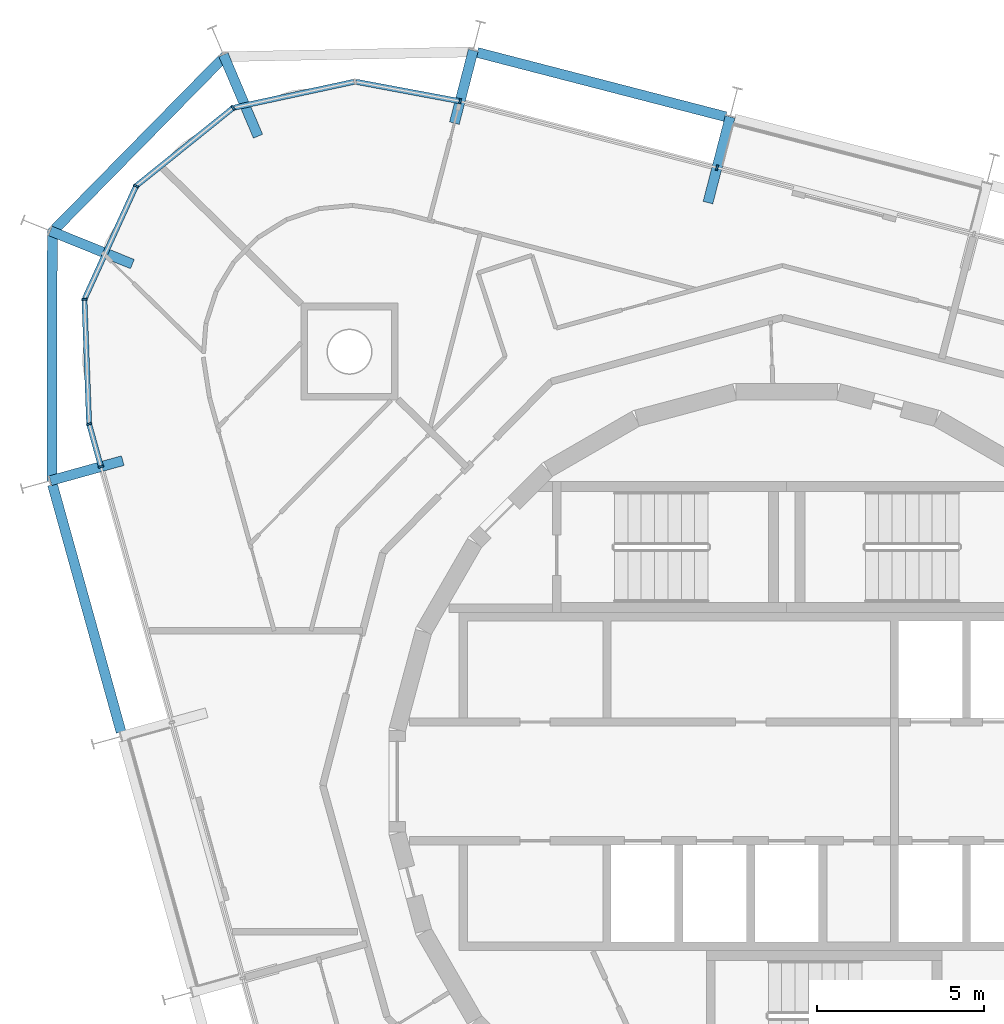
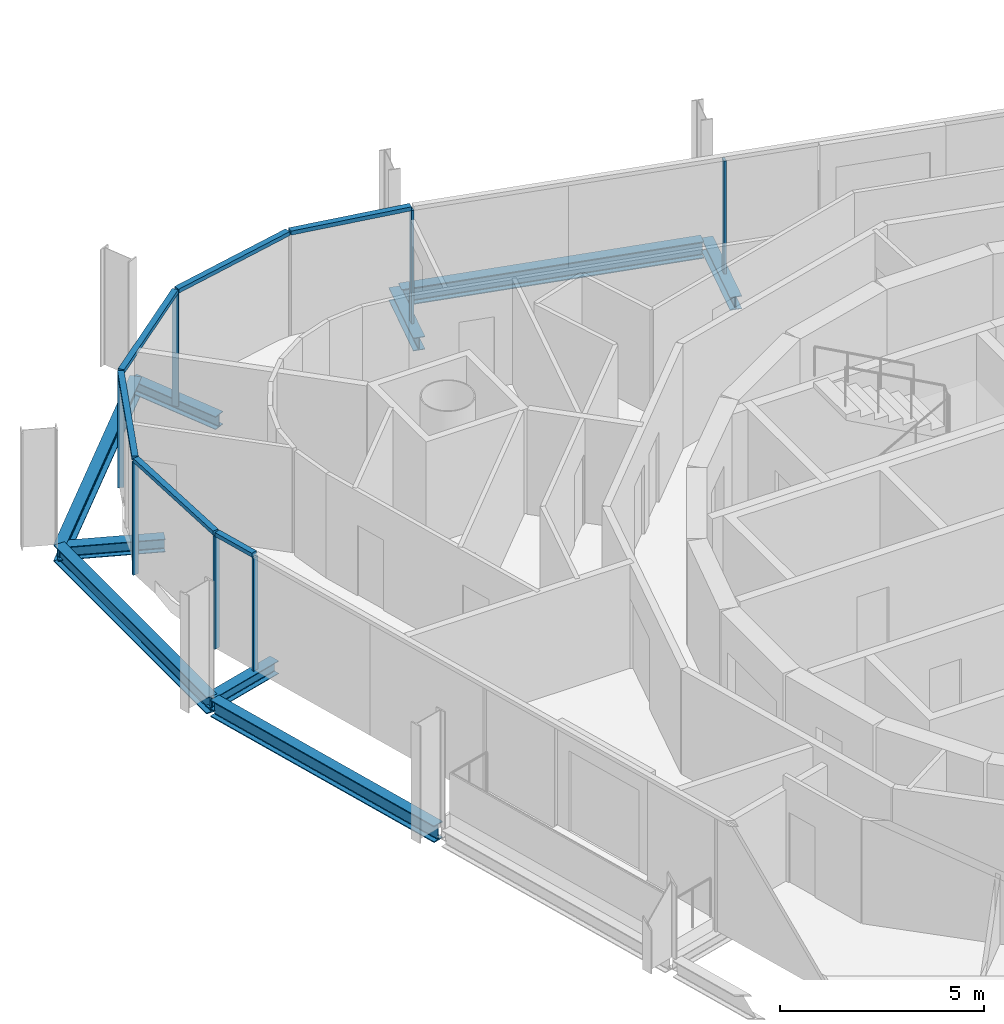
# One storey, part 5 of 15: 13 members, 9 beams, 3 elements without a shape of their own.
"""IFC4 building model written with IfcOpenShell, lengths in metres."""

from ifc_helpers import new_model, si_unit, direction, frame, origin, origin_2d, place, context, subcontext, project, spatial, rectangle, i_section, extrude, material, layer, layer_set, material_profile, profile_set, type_object, element, aggregate, save


model = new_model("IFC4")

# Units and contexts
model_context = context("Model", 3, precision=1e-05, world=origin(), true_north=direction((0.0, 1.0)))
body_context = subcontext(model_context, "Body", "Model", "MODEL_VIEW")
ifc_project = project(units=[si_unit("LENGTHUNIT", "METRE"), si_unit("AREAUNIT", "SQUARE_METRE"), si_unit("VOLUMEUNIT", "CUBIC_METRE"), si_unit("PLANEANGLEUNIT", "RADIAN"), si_unit("MASSUNIT", "GRAM", prefix="KILO")], contexts=[model_context])

# Site, building, storey
site_placement = place(None, origin())
site = spatial("IfcSite", under=ifc_project, at=site_placement, CompositionType="ELEMENT")
building_placement = place(site_placement, origin())
building = spatial("IfcBuilding", under=site, at=building_placement, Name="Spindle Arch Residences", CompositionType="ELEMENT")
storey_placement = place(building_placement, frame((0.0, 0.0, 319.199951171875)))
storey = spatial("IfcBuildingStorey", under=building, at=storey_placement, Name="L82", CompositionType="ELEMENT", Elevation=319.199951171875)

# Curtain wall, member
ifc_material_1 = material(Name="Aluminium bronze unitised frame with tinted glass", Category="aluminium")
ifc_layer_1 = layer(ifc_material_1, 0.159912109375)
ifc_layer_set_1 = layer_set([ifc_layer_1], Name="CW-C typical residential unitised wall")
curtain_wall_type_1 = type_object("IfcCurtainWallType", Name="CW-C typical residential unitised wall", PredefinedType="NOTDEFINED", material=ifc_layer_set_1)
curtain_wall_1_placement = place(storey_placement, origin())
curtain_wall_1 = element("IfcCurtainWall", 1, at=curtain_wall_1_placement, inside=storey, type_object=curtain_wall_type_1, Name="CW-C L82 run 2", PredefinedType="NOTDEFINED")
ifc_material_2 = material(Name="Aluminium bronze anodised mullion", Category="aluminium")
ifc_material_profile_1 = material_profile(ifc_material_2, rectangle(XDim=0.159912109375, YDim=0.06005859375, at=origin_2d()), Name="MU 60x160")
ifc_profile_set_1 = profile_set([ifc_material_profile_1], Name="Aluminium bronze anodised mullion")
member_type_1 = type_object("IfcMemberType", Name="Bronze mullion 60x160", PredefinedType="MULLION", material=ifc_profile_set_1)
member_1_placement = place(storey_placement, frame((-2.084228515625, 18.35107421875, -0.3798828125), z_axis=(0.0, 0.0, 1.0), x_axis=(-0.250380004054, -0.968147640378, 0.0)))
member_1 = element("IfcMember", 2, at=member_1_placement, type_object=member_type_1, Name="CW-C mullion 07", PredefinedType="MULLION", context=body_context, shape_type="SweptSolid", body=[
    extrude(rectangle(XDim=0.159912109375, YDim=0.06005859375, at=origin_2d()), origin(), (0.0, 0.0, 1.0), 3.3798828125),
])
aggregate(curtain_wall_1, [member_1])

# Curtain wall, members
ifc_material_3 = material(Name="Aluminium bronze unitised frame with tinted glass", Category="aluminium")
ifc_layer_2 = layer(ifc_material_3, 0.159912109375)
ifc_layer_set_2 = layer_set([ifc_layer_2], Name="CW-D corner wall on the fillet arcs")
curtain_wall_type_2 = type_object("IfcCurtainWallType", Name="CW-D corner wall on the fillet arcs", PredefinedType="NOTDEFINED", material=ifc_layer_set_2)
curtain_wall_2_placement = place(storey_placement, origin())
curtain_wall_2 = element("IfcCurtainWall", 3, at=curtain_wall_2_placement, inside=storey, type_object=curtain_wall_type_2, Name="CW-D L82 run 3", PredefinedType="NOTDEFINED")
member_2_placement = place(storey_placement, frame((-9.7666015625, 20.337890625, -0.3798828125), z_axis=(0.0, 0.0, 1.0), x_axis=(-0.183837217301, -0.98295670176, 0.0)))
member_2 = element("IfcMember", 4, at=member_2_placement, type_object=member_type_1, Name="CW-D mullion 00", PredefinedType="MULLION", context=body_context, shape_type="SweptSolid", body=[
    extrude(rectangle(XDim=0.159912109375, YDim=0.06005859375, at=origin_2d()), origin(), (0.0, 0.0, 1.0), 3.3798828125),
])
member_3_placement = place(storey_placement, frame((-16.5517578125, 20.14013671875, -0.3798828125), z_axis=(0.0, 0.0, 1.0), x_axis=(0.627057107401, -0.778973288411, 0.0)))
member_3 = element("IfcMember", 5, at=member_3_placement, type_object=member_type_1, Name="CW-D mullion 02", PredefinedType="MULLION", context=body_context, shape_type="SweptSolid", body=[
    extrude(rectangle(XDim=0.159912109375, YDim=0.06005859375, at=origin_2d()), origin(), (0.0, 0.0, 1.0), 3.3798828125),
])
member_4_placement = place(storey_placement, frame((-19.454833984375, 17.80322265625, -0.3798828125), z_axis=(0.0, 0.0, 1.0), x_axis=(0.9099612694, -0.414693245896, 0.0)))
member_4 = element("IfcMember", 6, at=member_4_placement, type_object=member_type_1, Name="CW-D mullion 03", PredefinedType="MULLION", context=body_context, shape_type="SweptSolid", body=[
    extrude(rectangle(XDim=0.159912109375, YDim=0.06005859375, at=origin_2d()), origin(), (0.0, 0.0, 1.0), 3.3798828125),
])
member_5_placement = place(storey_placement, frame((-21.00048828125, 14.411865234375, -0.3798828125), z_axis=(0.0, 0.0, 1.0), x_axis=(0.999285080405, 0.037806455536, 0.0)))
member_5 = element("IfcMember", 7, at=member_5_placement, type_object=member_type_1, Name="CW-D mullion 04", PredefinedType="MULLION", context=body_context, shape_type="SweptSolid", body=[
    extrude(rectangle(XDim=0.159912109375, YDim=0.06005859375, at=origin_2d()), origin(), (0.0, 0.0, 1.0), 3.3798828125),
])
member_6_placement = place(storey_placement, frame((-20.859375, 10.687744140625, -0.3798828125), z_axis=(0.0, 0.0, 1.0), x_axis=(0.963630453209, 0.267238376078, 0.0)))
member_6 = element("IfcMember", 8, at=member_6_placement, type_object=member_type_1, Name="CW-D mullion 05", PredefinedType="MULLION", context=body_context, shape_type="SweptSolid", body=[
    extrude(rectangle(XDim=0.159912109375, YDim=0.06005859375, at=origin_2d()), origin(), (0.0, 0.0, 1.0), 3.3798828125),
])

# Curtain wall, member
curtain_wall_3_placement = place(storey_placement, origin())
curtain_wall_3 = element("IfcCurtainWall", 9, at=curtain_wall_3_placement, inside=storey, type_object=curtain_wall_type_1, Name="CW-C L82 run 4", PredefinedType="NOTDEFINED")
member_7_placement = place(storey_placement, frame((-20.505126953125, 9.41015625, -0.3798828125), z_axis=(0.0, 0.0, 1.0), x_axis=(0.963630453209, 0.267238376078, 0.0)))
member_7 = element("IfcMember", 10, at=member_7_placement, type_object=member_type_1, Name="CW-C mullion 11", PredefinedType="MULLION", context=body_context, shape_type="SweptSolid", body=[
    extrude(rectangle(XDim=0.159912109375, YDim=0.06005859375, at=origin_2d()), origin(), (0.0, 0.0, 1.0), 3.3798828125),
])
aggregate(curtain_wall_3, [member_7])

# Member
ifc_material_4 = material(Name="Aluminium bronze anodised transom", Category="aluminium")
ifc_material_profile_2 = material_profile(ifc_material_4, rectangle(XDim=0.159912109375, YDim=0.1201171875, at=origin_2d()), Name="TR 120x160")
ifc_profile_set_2 = profile_set([ifc_material_profile_2], Name="Aluminium bronze anodised transom")
member_type_2 = type_object("IfcMemberType", Name="Bronze transom 120x160", PredefinedType="USERDEFINED", material=ifc_profile_set_2)
member_8_placement = place(storey_placement, frame((-9.796142578125, 20.34326171875, 3.06005859375), z_axis=(-0.982955792974, 0.183842076412, 0.0), x_axis=(-0.183842076412, -0.982955792974, 0.0)))
member_8 = element("IfcMember", 11, at=member_8_placement, type_object=member_type_2, Name="CW-D transom 00", ObjectType="TRANSOM", PredefinedType="USERDEFINED", context=body_context, shape_type="SweptSolid", body=[
    extrude(rectangle(XDim=0.159912109375, YDim=0.1201171875, at=origin_2d()), origin(), (0.0, 0.0, 1.0), 3.13671875),
])

member_9_placement = place(storey_placement, frame((-12.938232421875, 20.919189453125, 3.06005859375), z_axis=(-0.977527770532, -0.210806683571, 0.0), x_axis=(0.210806683571, -0.977527770532, 0.0)))
member_9 = element("IfcMember", 12, at=member_9_placement, type_object=member_type_2, Name="CW-D transom 01", ObjectType="TRANSOM", PredefinedType="USERDEFINED", context=body_context, shape_type="SweptSolid", body=[
    extrude(rectangle(XDim=0.159912109375, YDim=0.1201171875, at=origin_2d()), origin(), (0.0, 0.0, 1.0), 3.66650390625),
])

member_10_placement = place(storey_placement, frame((-16.5751953125, 20.121337890625, 3.06005859375), z_axis=(-0.778981543265, -0.627046852518, 0.0), x_axis=(0.627046852518, -0.778981543265, 0.0)))
member_10 = element("IfcMember", 13, at=member_10_placement, type_object=member_type_2, Name="CW-D transom 02", ObjectType="TRANSOM", PredefinedType="USERDEFINED", context=body_context, shape_type="SweptSolid", body=[
    extrude(rectangle(XDim=0.159912109375, YDim=0.1201171875, at=origin_2d()), origin(), (0.0, 0.0, 1.0), 3.6669921875),
])

member_11_placement = place(storey_placement, frame((-19.46728515625, 17.77587890625, 3.06005859375), z_axis=(-0.414725728642, -0.90994646546, 0.0), x_axis=(0.90994646546, -0.414725728642, 0.0)))
member_11 = element("IfcMember", 14, at=member_11_placement, type_object=member_type_2, Name="CW-D transom 03", ObjectType="TRANSOM", PredefinedType="USERDEFINED", context=body_context, shape_type="SweptSolid", body=[
    extrude(rectangle(XDim=0.159912109375, YDim=0.1201171875, at=origin_2d()), origin(), (0.0, 0.0, 1.0), 3.6669921875),
])

member_12_placement = place(storey_placement, frame((-20.999267578125, 14.382080078125, 3.06005859375), z_axis=(0.03781688996, -0.99928468558, 0.0), x_axis=(0.99928468558, 0.03781688996, 0.0)))
member_12 = element("IfcMember", 15, at=member_12_placement, type_object=member_type_2, Name="CW-D transom 04", ObjectType="TRANSOM", PredefinedType="USERDEFINED", context=body_context, shape_type="SweptSolid", body=[
    extrude(rectangle(XDim=0.159912109375, YDim=0.1201171875, at=origin_2d()), origin(), (0.0, 0.0, 1.0), 3.6669921875),
])

member_13_placement = place(storey_placement, frame((-20.8515625, 10.658935546875, 3.06005859375), z_axis=(0.267275846412, -0.963620060981, 0.0), x_axis=(0.963620060981, 0.267275846412, 0.0)))
member_13 = element("IfcMember", 16, at=member_13_placement, type_object=member_type_2, Name="CW-D transom 05", ObjectType="TRANSOM", PredefinedType="USERDEFINED", context=body_context, shape_type="SweptSolid", body=[
    extrude(rectangle(XDim=0.159912109375, YDim=0.1201171875, at=origin_2d()), origin(), (0.0, 0.0, 1.0), 1.26611328125),
])

aggregate(curtain_wall_2, [member_2, member_8, member_9, member_3, member_10, member_4, member_11, member_5, member_12, member_6, member_13])

# Beams
ifc_material_5 = material(Name="Steel S460ML, intumescent coating R 120", Category="steel")
ifc_material_profile_3 = material_profile(ifc_material_5, i_section(OverallWidth=0.300048828125, OverallDepth=0.5, WebThickness=0.014404296875, FlangeThickness=0.028076171875, FilletRadius=0.027099609375, at=origin_2d()), Name="HEB 500")
ifc_profile_set_3 = profile_set([ifc_material_profile_3], Name="Steel S460ML, intumescent coating R 120")
beam_type_1 = type_object("IfcBeamType", Name="Exoskeleton edge beam HEB 500", PredefinedType="BEAM", material=ifc_profile_set_3)
beam_1_placement = place(storey_placement, frame((-1.824462890625, 19.87451171875, -0.6298828125), z_axis=(-0.968149836341, 0.250371512743, 0.0), x_axis=(-0.250371512743, -0.968149836341, 0.0)))
element("IfcBeam", 17, at=beam_1_placement, inside=storey, type_object=beam_type_1, Name="Exoskeleton edge beam 8", PredefinedType="BEAM", context=body_context, shape_type="SweptSolid", body=[
    extrude(i_section(OverallWidth=0.300048828125, OverallDepth=0.5, WebThickness=0.014404296875, FlangeThickness=0.028076171875, FilletRadius=0.027099609375, at=origin_2d()), origin(), (0.0, 0.0, 1.0), 7.675048828125),
])
beam_2_placement = place(storey_placement, frame((-16.767333984375, 21.715576171875, -0.6298828125), z_axis=(-0.700904877176, -0.713254760342, 0.0), x_axis=(0.713254760342, -0.700904877176, 0.0)))
element("IfcBeam", 18, at=beam_2_placement, inside=storey, type_object=beam_type_1, Name="Exoskeleton edge beam 10", PredefinedType="BEAM", context=body_context, shape_type="SweptSolid", body=[
    extrude(i_section(OverallWidth=0.300048828125, OverallDepth=0.5, WebThickness=0.014404296875, FlangeThickness=0.028076171875, FilletRadius=0.027099609375, at=origin_2d()), origin(), (0.0, 0.0, 1.0), 7.47265625),
])
beam_3_placement = place(storey_placement, frame((-21.95947265625, 16.472412109375, -0.6298828125), z_axis=(-0.001692871227, -0.999998567092, 0.0), x_axis=(0.999998567092, -0.001692871227, 0.0)))
element("IfcBeam", 19, at=beam_3_placement, inside=storey, type_object=beam_type_1, Name="Exoskeleton edge beam 11", PredefinedType="BEAM", context=body_context, shape_type="SweptSolid", body=[
    extrude(i_section(OverallWidth=0.300048828125, OverallDepth=0.5, WebThickness=0.014404296875, FlangeThickness=0.028076171875, FilletRadius=0.027099609375, at=origin_2d()), origin(), (0.0, 0.0, 1.0), 7.499267578125),
])
beam_4_placement = place(storey_placement, frame((-21.954345703125, 8.873291015625, -0.6298828125), z_axis=(0.26723040865, -0.963632662737, 0.0), x_axis=(0.963632662737, 0.26723040865, 0.0)))
element("IfcBeam", 20, at=beam_4_placement, inside=storey, type_object=beam_type_1, Name="Exoskeleton edge beam 12", PredefinedType="BEAM", context=body_context, shape_type="SweptSolid", body=[
    extrude(i_section(OverallWidth=0.300048828125, OverallDepth=0.5, WebThickness=0.014404296875, FlangeThickness=0.028076171875, FilletRadius=0.027099609375, at=origin_2d()), origin(), (0.0, 0.0, 1.0), 7.675048828125),
])
ifc_material_6 = material(Name="Steel S460ML, intumescent coating R 120", Category="steel")
ifc_material_profile_4 = material_profile(ifc_material_6, i_section(OverallWidth=0.300048828125, OverallDepth=0.389892578125, WebThickness=0.010986328125, FlangeThickness=0.01904296875, FilletRadius=0.027099609375, at=origin_2d()), Name="HEA 400")
ifc_profile_set_4 = profile_set([ifc_material_profile_4], Name="Steel S460ML, intumescent coating R 120")
beam_type_2 = type_object("IfcBeamType", Name="Floor outrigger HEA 400", PredefinedType="BEAM", material=ifc_profile_set_4)
beam_5_placement = place(storey_placement, frame((-1.691162109375, 19.87109375, -0.574951171875), z_axis=(-0.250396221036, -0.968143446237, 0.0), x_axis=(0.968143446237, -0.250396221036, 0.0)))
element("IfcBeam", 21, at=beam_5_placement, inside=storey, type_object=beam_type_2, Name="Floor outrigger 8", PredefinedType="BEAM", context=body_context, shape_type="SweptSolid", body=[
    extrude(i_section(OverallWidth=0.300048828125, OverallDepth=0.389892578125, WebThickness=0.010986328125, FlangeThickness=0.01904296875, FilletRadius=0.027099609375, at=origin_2d()), origin(), (0.0, 0.0, 1.0), 2.650146484375),
])
beam_6_placement = place(storey_placement, frame((-9.37353515625, 21.857666015625, -0.574951171875), z_axis=(-0.250347717753, -0.968155989609, 0.0), x_axis=(0.968155989609, -0.250347717753, 0.0)))
element("IfcBeam", 22, at=beam_6_placement, inside=storey, type_object=beam_type_2, Name="Floor outrigger 9", PredefinedType="BEAM", context=body_context, shape_type="SweptSolid", body=[
    extrude(i_section(OverallWidth=0.300048828125, OverallDepth=0.389892578125, WebThickness=0.010986328125, FlangeThickness=0.01904296875, FilletRadius=0.027099609375, at=origin_2d()), origin(), (0.0, 0.0, 1.0), 2.247802734375),
])
for number, where, z_axis, x_axis, name in (
    (23, (-16.8427734375, 21.73046875, -0.574951171875), (0.390625555943, -0.920549659195, 0.0), (0.920549659195, 0.390625555943, 0.0), "Floor outrigger 10"),
    (24, (-22.02099609375, 16.4609375, -0.574951171875), (0.927219688575, -0.374517888917, 0.0), (0.374517888917, 0.927219688575, 0.0), "Floor outrigger 11"),
):
    element("IfcBeam", number, at=place(storey_placement, frame(where, z_axis=z_axis, x_axis=x_axis)), inside=storey, type_object=beam_type_2, Name=name, PredefinedType="BEAM", context=body_context, shape_type="SweptSolid", body=[
        extrude(i_section(OverallWidth=0.300048828125, OverallDepth=0.389892578125, WebThickness=0.010986328125, FlangeThickness=0.01904296875, FilletRadius=0.027099609375, at=origin_2d()), origin(), (0.0, 0.0, 1.0), 2.64990234375),
    ])
beam_7_placement = place(storey_placement, frame((-22.01806640625, 8.990478515625, -0.574951171875), z_axis=(0.963622081643, 0.267268561132, 0.0), x_axis=(-0.267268561132, 0.963622081643, 0.0)))
element("IfcBeam", 25, at=beam_7_placement, inside=storey, type_object=beam_type_2, Name="Floor outrigger 12", PredefinedType="BEAM", context=body_context, shape_type="SweptSolid", body=[
    extrude(i_section(OverallWidth=0.300048828125, OverallDepth=0.389892578125, WebThickness=0.010986328125, FlangeThickness=0.01904296875, FilletRadius=0.027099609375, at=origin_2d()), origin(), (0.0, 0.0, 1.0), 2.248046875),
])

save(model, "model.ifc")
